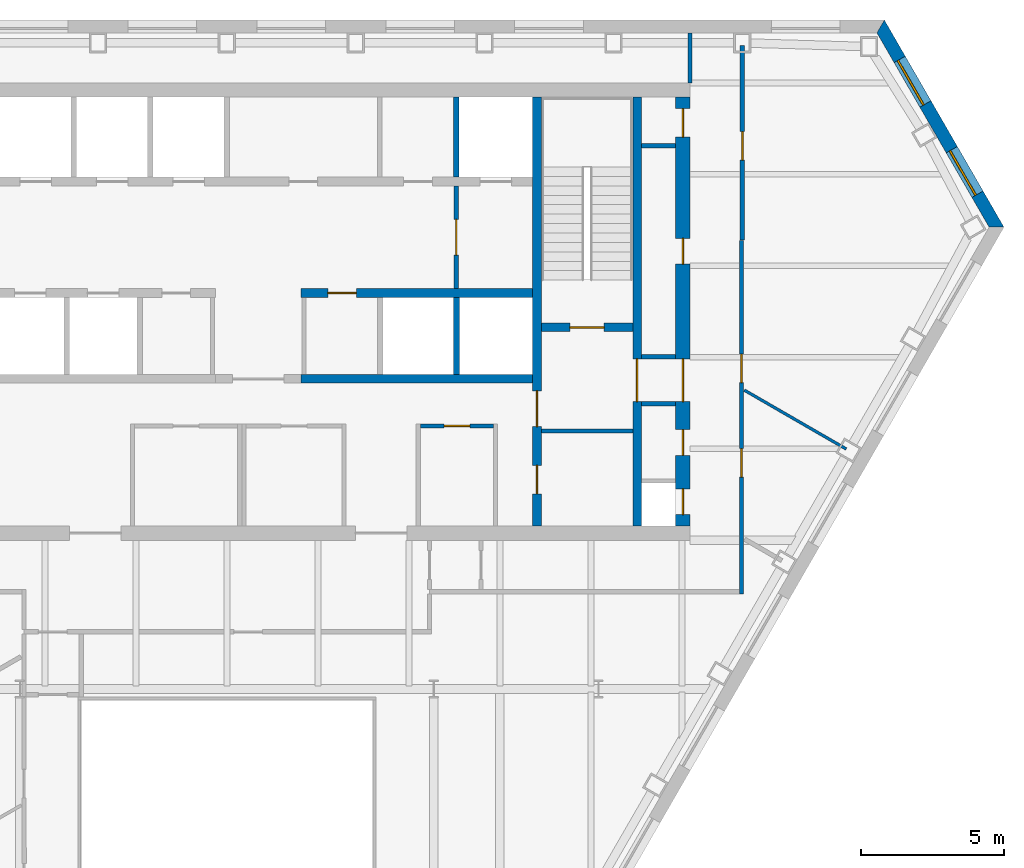
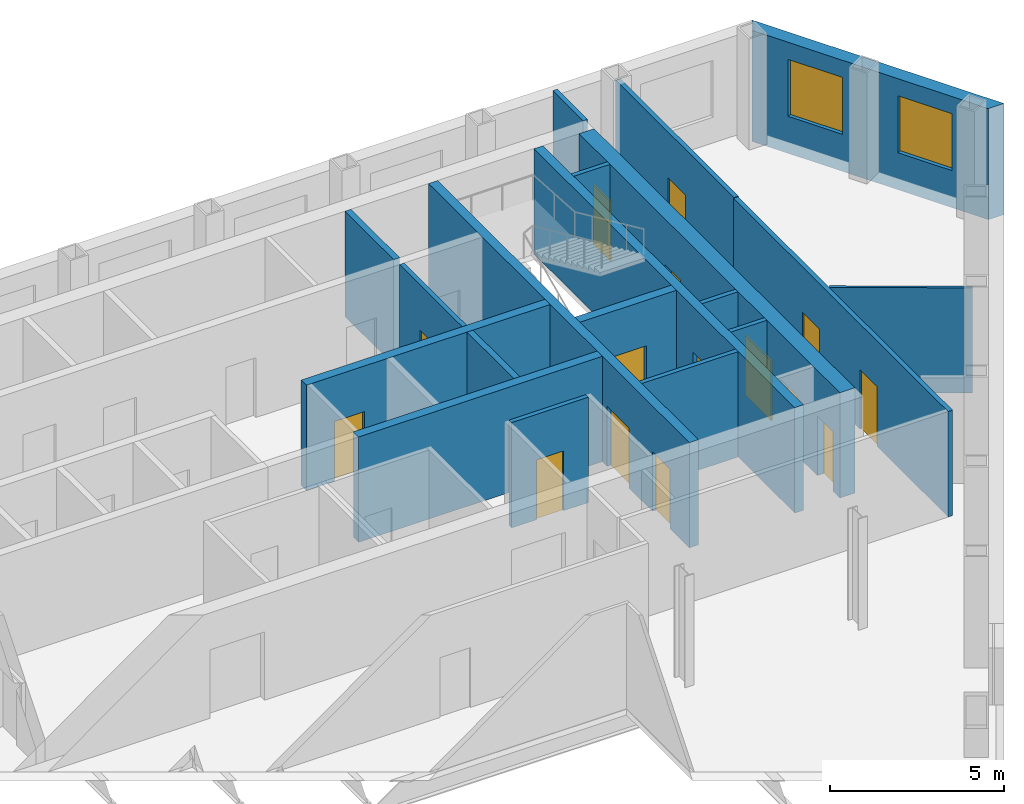
# One storey, part 7 of 10: 19 walls, 15 doors, 2 windows, 17 openings.
"""IFC4 building model written with IfcOpenShell, lengths in metres."""

from ifc_helpers import new_model, si_unit, direction, frame, frame_2d, origin, place, context, subcontext, project, spatial, polyline, rectangle, outline, extrude, material, layer, layer_set, type_object, element, fill, save


model = new_model("IFC4")

# Units and contexts
model_context = context("Model", 3, precision=1e-05, world=origin(), true_north=direction((0.0, 1.0)))
body_context = subcontext(model_context, "Body", "Model", "MODEL_VIEW")
ifc_project = project(units=[si_unit("LENGTHUNIT", "METRE"), si_unit("AREAUNIT", "SQUARE_METRE"), si_unit("VOLUMEUNIT", "CUBIC_METRE"), si_unit("PLANEANGLEUNIT", "RADIAN"), si_unit("MASSUNIT", "GRAM", prefix="KILO")], contexts=[model_context])

# Site, building, storey
site_placement = place(None, origin())
site = spatial("IfcSite", under=ifc_project, at=site_placement, CompositionType="ELEMENT")
building_placement = place(site_placement, origin())
building = spatial("IfcBuilding", under=site, at=building_placement, Name="Njiva Tower", CompositionType="ELEMENT")
storey_placement = place(building_placement, frame((0.0, 0.0, 167.1)))
storey = spatial("IfcBuildingStorey", under=building, at=storey_placement, Name="L36", CompositionType="ELEMENT", Elevation=167.1)

# Walls
ifc_material_1 = material(Name="Blockwork", Category="masonry")
ifc_layer_1 = layer(ifc_material_1, 0.15)
ifc_layer_set_1 = layer_set([ifc_layer_1], Name="Blockwork")
wall_type_1 = type_object("IfcWallType", Name="WT1 Compartment partition 150", PredefinedType="PARTITIONING", material=ifc_layer_set_1)
wall_1_placement = place(storey_placement, frame((11.0, 5.825, 0.0), z_axis=(0.0, 0.0, 1.0), x_axis=(1.0, 0.0, 0.0)))
element("IfcWall", 1, at=wall_1_placement, inside=storey, type_object=wall_type_1, Name="Room wall B", PredefinedType="PARTITIONING", context=body_context, shape_type="SweptSolid", body=[
    extrude(rectangle(XDim=3.2, YDim=0.15, at=frame_2d((1.6, 0.0))), origin(), (0.0, 0.0, 1.0), 3.7),
])
wall_2_placement = place(storey_placement, frame((14.5, 15.801, 0.0), z_axis=(0.0, 0.0, 1.0), x_axis=(1.0, 0.0, 0.0)))
element("IfcWall", 2, at=wall_2_placement, inside=storey, type_object=wall_type_1, Name="Partition strip E10", PredefinedType="PARTITIONING", context=body_context, shape_type="SweptSolid", body=[
    extrude(rectangle(XDim=1.2, YDim=0.15, at=frame_2d((0.6, 0.0))), origin(), (0.0, 0.0, 1.0), 3.7),
])

# Wall, opening, door
wall_3_placement = place(storey_placement, frame((6.775, 6.0, 0.0), z_axis=(0.0, 0.0, 1.0), x_axis=(1.0, 0.0, 0.0)))
wall_3 = element("IfcWall", 3, at=wall_3_placement, inside=storey, type_object=wall_type_1, Name="Security office wall north", PredefinedType="PARTITIONING", context=body_context, shape_type="SweptSolid", body=[
    extrude(rectangle(XDim=2.55, YDim=0.15, at=frame_2d((1.275, 0.0))), origin(), (0.0, 0.0, 1.0), 3.7),
])
opening_1_placement = place(wall_3_placement, frame((0.825, 0.0, 0.0)))
opening_1 = element("IfcOpeningElement", 4, at=opening_1_placement, cuts=wall_3, Name="Opening S12-D935", PredefinedType="OPENING", context=body_context, shape_type="SweptSolid", body=[
    extrude(rectangle(XDim=0.9, YDim=2.1, at=frame_2d((0.45, 1.05))), frame((0.0, 0.085, 0.0), z_axis=(0.0, -1.0, 0.0), x_axis=(1.0, 0.0, 0.0)), (0.0, 0.0, 1.0), 0.17),
])
ifc_material_2 = material(Name="Steel fire door, painted", Category="steel")
door_type_1 = type_object("IfcDoorType", Name="D6 Fire-rated door 900x2100", OperationType="SINGLE_SWING_LEFT", PredefinedType="DOOR", material=ifc_material_2)
door_1_placement = place(opening_1_placement, origin())
door_1 = element("IfcDoor", 5, at=door_1_placement, inside=storey, type_object=door_type_1, Name="Security office door", OperationType="SINGLE_SWING_RIGHT", OverallHeight=2.1, OverallWidth=0.9, PredefinedType="DOOR", context=body_context, shape_type="SweptSolid", body=[
    extrude(rectangle(XDim=0.9, YDim=2.1, at=frame_2d((0.45, 1.05))), frame((0.0, 0.025, 0.0), z_axis=(0.0, -1.0, 0.0), x_axis=(1.0, 0.0, 0.0)), (0.0, 0.0, 1.0), 0.05),
])
fill(opening_1, door_1)

# Wall, openings, doors
ifc_material_3 = material(Name="Concrete C40/50", Category="concrete")
ifc_layer_2 = layer(ifc_material_3, 0.3)
ifc_layer_set_2 = layer_set([ifc_layer_2], Name="Concrete C40/50")
wall_type_2 = type_object("IfcWallType", Name="WT10 Stair enclosure wall 300", PredefinedType="SHEAR", material=ifc_layer_set_2)
wall_4_placement = place(storey_placement, frame((10.85, 2.5, 0.0), z_axis=(0.0, 0.0, 1.0), x_axis=(0.0, 1.0, 0.0)))
wall_4 = element("IfcWall", 6, at=wall_4_placement, inside=storey, type_object=wall_type_2, Name="Stair wall east inner", PredefinedType="SHEAR", context=body_context, shape_type="SweptSolid", body=[
    extrude(rectangle(XDim=15.0, YDim=0.3, at=frame_2d((7.5, 0.0))), origin(), (0.0, 0.0, 1.0), 3.7),
])
opening_2_placement = place(wall_4_placement, frame((3.475, 0.0, 0.0)))
opening_2 = element("IfcOpeningElement", 7, at=opening_2_placement, cuts=wall_4, Name="Opening S12-D919", PredefinedType="OPENING", context=body_context, shape_type="SweptSolid", body=[
    extrude(rectangle(XDim=1.25, YDim=2.1, at=frame_2d((0.625, 1.05))), frame((0.0, 0.16, 0.0), z_axis=(0.0, -1.0, 0.0), x_axis=(1.0, 0.0, 0.0)), (0.0, 0.0, 1.0), 0.32),
])
opening_3_placement = place(wall_4_placement, frame((1.125, 0.0, 0.0)))
opening_3 = element("IfcOpeningElement", 8, at=opening_3_placement, cuts=wall_4, Name="Opening S12-D920", PredefinedType="OPENING", context=body_context, shape_type="SweptSolid", body=[
    extrude(rectangle(XDim=1.0, YDim=2.1, at=frame_2d((0.5, 1.05))), frame((0.0, 0.16, 0.0), z_axis=(0.0, -1.0, 0.0), x_axis=(1.0, 0.0, 0.0)), (0.0, 0.0, 1.0), 0.32),
])
ifc_material_4 = material(Name="Steel door, painted", Category="steel")
door_type_2 = type_object("IfcDoorType", Name="D5 Steel door 1000x2100", OperationType="SINGLE_SWING_LEFT", PredefinedType="DOOR", material=ifc_material_4)
door_2_placement = place(opening_3_placement, origin())
door_2 = element("IfcDoor", 9, at=door_2_placement, inside=storey, type_object=door_type_2, Name="Breakout room door", OperationType="SINGLE_SWING_LEFT", OverallHeight=2.1, OverallWidth=1.0, PredefinedType="DOOR", context=body_context, shape_type="SweptSolid", body=[
    extrude(rectangle(XDim=1.0, YDim=2.1, at=frame_2d((0.5, 1.05))), frame((0.0, 0.025, 0.0), z_axis=(0.0, -1.0, 0.0), x_axis=(1.0, 0.0, 0.0)), (0.0, 0.0, 1.0), 0.05),
])
fill(opening_3, door_2)
ifc_material_5 = material(Name="Glazed steel fire door", Category="steel")
door_type_3 = type_object("IfcDoorType", Name="D8 Vestibule corridor door 1250x2100 glazed", OperationType="SINGLE_SWING_LEFT", PredefinedType="DOOR", material=ifc_material_5)
door_3_placement = place(opening_2_placement, origin())
door_3 = element("IfcDoor", 10, at=door_3_placement, inside=storey, type_object=door_type_3, Name="Stair vestibule corridor door", OperationType="SINGLE_SWING_RIGHT", OverallHeight=2.1, OverallWidth=1.25, PredefinedType="DOOR", context=body_context, shape_type="SweptSolid", body=[
    extrude(rectangle(XDim=1.25, YDim=2.1, at=frame_2d((0.625, 1.05))), frame((0.0, 0.025, 0.0), z_axis=(0.0, -1.0, 0.0), x_axis=(1.0, 0.0, 0.0)), (0.0, 0.0, 1.0), 0.05),
])
fill(opening_2, door_3)

# Wall, opening, door
wall_5_placement = place(storey_placement, frame((14.35, 2.5, 0.0), z_axis=(0.0, 0.0, 1.0), x_axis=(0.0, 1.0, 0.0)))
wall_5 = element("IfcWall", 11, at=wall_5_placement, inside=storey, type_object=wall_type_2, Name="Stair wall east outer", PredefinedType="SHEAR", context=body_context, shape_type="SweptSolid", body=[
    extrude(rectangle(XDim=15.0, YDim=0.3, at=frame_2d((7.5, 0.0))), origin(), (0.0, 0.0, 1.0), 3.7),
])
opening_4_placement = place(wall_5_placement, frame((4.35, 0.0, 0.0)))
opening_4 = element("IfcOpeningElement", 12, at=opening_4_placement, cuts=wall_5, Name="Opening S12-D927", PredefinedType="OPENING", context=body_context, shape_type="SweptSolid", body=[
    extrude(rectangle(XDim=1.5, YDim=2.1, at=frame_2d((0.75, 1.05))), frame((0.0, 0.16, 0.0), z_axis=(0.0, -1.0, 0.0), x_axis=(1.0, 0.0, 0.0)), (0.0, 0.0, 1.0), 0.32),
])
door_type_4 = type_object("IfcDoorType", Name="D10 Exit door double 1500x2100 glazed", OperationType="DOUBLE_DOOR_SINGLE_SWING", PredefinedType="DOOR", material=ifc_material_5)
door_4_placement = place(opening_4_placement, origin())
door_4 = element("IfcDoor", 13, at=door_4_placement, inside=storey, type_object=door_type_4, Name="Stair B passage door", OperationType="DOUBLE_DOOR_SINGLE_SWING", OverallHeight=2.1, OverallWidth=1.5, PredefinedType="DOOR", context=body_context, shape_type="SweptSolid", body=[
    extrude(rectangle(XDim=1.5, YDim=2.1, at=frame_2d((0.75, 1.05))), frame((0.0, 0.025, 0.0), z_axis=(0.0, -1.0, 0.0), x_axis=(1.0, 0.0, 0.0)), (0.0, 0.0, 1.0), 0.05),
])
fill(opening_4, door_4)

wall_6_placement = place(storey_placement, frame((11.0, 9.45, 0.0), z_axis=(0.0, 0.0, 1.0), x_axis=(1.0, 0.0, 0.0)))
wall_6 = element("IfcWall", 14, at=wall_6_placement, inside=storey, type_object=wall_type_2, Name="Stair B south wall", PredefinedType="SHEAR", context=body_context, shape_type="SweptSolid", body=[
    extrude(rectangle(XDim=3.2, YDim=0.3, at=frame_2d((1.6, 0.0))), origin(), (0.0, 0.0, 1.0), 3.7),
])
opening_5_placement = place(wall_6_placement, frame((1.0, 0.0, 0.0)))
opening_5 = element("IfcOpeningElement", 15, at=opening_5_placement, cuts=wall_6, Name="Opening S12-D918", PredefinedType="OPENING", context=body_context, shape_type="SweptSolid", body=[
    extrude(rectangle(XDim=1.2, YDim=2.1, at=frame_2d((0.6, 1.05))), frame((0.0, 0.16, 0.0), z_axis=(0.0, -1.0, 0.0), x_axis=(1.0, 0.0, 0.0)), (0.0, 0.0, 1.0), 0.32),
])
door_type_5 = type_object("IfcDoorType", Name="D7 Stair vestibule door 1200x2100 glazed", OperationType="SINGLE_SWING_LEFT", PredefinedType="DOOR", material=ifc_material_5)
door_5_placement = place(opening_5_placement, origin())
door_5 = element("IfcDoor", 16, at=door_5_placement, inside=storey, type_object=door_type_5, Name="Stair B door", OperationType="SINGLE_SWING_LEFT", OverallHeight=2.1, OverallWidth=1.2, PredefinedType="DOOR", context=body_context, shape_type="SweptSolid", body=[
    extrude(rectangle(XDim=1.2, YDim=2.1, at=frame_2d((0.6, 1.05))), frame((0.0, 0.025, 0.0), z_axis=(0.0, -1.0, 0.0), x_axis=(1.0, 0.0, 0.0)), (0.0, 0.0, 1.0), 0.05),
])
fill(opening_5, door_5)

# Wall, openings, doors
ifc_material_6 = material(Name="Concrete C60/75", Category="concrete")
ifc_layer_3 = layer(ifc_material_6, 0.5)
ifc_layer_set_3 = layer_set([ifc_layer_3], Name="Concrete C60/75")
wall_type_3 = type_object("IfcWallType", Name="WT13 Core wall 500", PredefinedType="SHEAR", material=ifc_layer_set_3)
wall_7_placement = place(storey_placement, frame((15.95, 2.5, 0.0), z_axis=(0.0, 0.0, 1.0), x_axis=(0.0, 1.0, 0.0)))
wall_7 = element("IfcWall", 17, at=wall_7_placement, inside=storey, type_object=wall_type_3, Name="Core wall east", PredefinedType="SHEAR", context=body_context, shape_type="SweptSolid", body=[
    extrude(rectangle(XDim=15.0, YDim=0.5, at=frame_2d((7.5, 0.0))), origin(), (0.0, 0.0, 1.0), 3.7),
])
opening_6_placement = place(wall_7_placement, frame((4.35, 0.0, 0.0)))
opening_6 = element("IfcOpeningElement", 18, at=opening_6_placement, cuts=wall_7, Name="Opening S12-D928", PredefinedType="OPENING", context=body_context, shape_type="SweptSolid", body=[
    extrude(rectangle(XDim=1.5, YDim=2.1, at=frame_2d((0.75, 1.05))), frame((0.0, 0.26, 0.0), z_axis=(0.0, -1.0, 0.0), x_axis=(1.0, 0.0, 0.0)), (0.0, 0.0, 1.0), 0.52),
])
opening_7_placement = place(wall_7_placement, frame((0.4, 0.0, 0.0)))
opening_7 = element("IfcOpeningElement", 19, at=opening_7_placement, cuts=wall_7, Name="Opening S12-D929", PredefinedType="OPENING", context=body_context, shape_type="SweptSolid", body=[
    extrude(rectangle(XDim=0.9, YDim=2.1, at=frame_2d((0.45, 1.05))), frame((0.0, 0.26, 0.0), z_axis=(0.0, -1.0, 0.0), x_axis=(1.0, 0.0, 0.0)), (0.0, 0.0, 1.0), 0.52),
])
opening_8_placement = place(wall_7_placement, frame((2.475, 0.0, 0.0)))
opening_8 = element("IfcOpeningElement", 20, at=opening_8_placement, cuts=wall_7, Name="Opening S12-D930", PredefinedType="OPENING", context=body_context, shape_type="SweptSolid", body=[
    extrude(rectangle(XDim=0.9, YDim=2.1, at=frame_2d((0.45, 1.05))), frame((0.0, 0.26, 0.0), z_axis=(0.0, -1.0, 0.0), x_axis=(1.0, 0.0, 0.0)), (0.0, 0.0, 1.0), 0.52),
])
opening_9_placement = place(wall_7_placement, frame((9.163, 0.0, 0.0)))
opening_9 = element("IfcOpeningElement", 21, at=opening_9_placement, cuts=wall_7, Name="Opening S12-D931", PredefinedType="OPENING", context=body_context, shape_type="SweptSolid", body=[
    extrude(rectangle(XDim=0.9, YDim=2.1, at=frame_2d((0.45, 1.05))), frame((0.0, 0.26, 0.0), z_axis=(0.0, -1.0, 0.0), x_axis=(1.0, 0.0, 0.0)), (0.0, 0.0, 1.0), 0.52),
])
opening_10_placement = place(wall_7_placement, frame((13.6, 0.0, 0.0)))
opening_10 = element("IfcOpeningElement", 22, at=opening_10_placement, cuts=wall_7, Name="Opening S12-D932", PredefinedType="OPENING", context=body_context, shape_type="SweptSolid", body=[
    extrude(rectangle(XDim=1.0, YDim=2.1, at=frame_2d((0.5, 1.05))), frame((0.0, 0.26, 0.0), z_axis=(0.0, -1.0, 0.0), x_axis=(1.0, 0.0, 0.0)), (0.0, 0.0, 1.0), 0.52),
])
door_6_placement = place(opening_6_placement, origin())
door_6 = element("IfcDoor", 23, at=door_6_placement, inside=storey, type_object=door_type_4, Name="Stair B corridor door", OperationType="DOUBLE_DOOR_SINGLE_SWING", OverallHeight=2.1, OverallWidth=1.5, PredefinedType="DOOR", context=body_context, shape_type="SweptSolid", body=[
    extrude(rectangle(XDim=1.5, YDim=2.1, at=frame_2d((0.75, 1.05))), frame((0.0, 0.025, 0.0), z_axis=(0.0, -1.0, 0.0), x_axis=(1.0, 0.0, 0.0)), (0.0, 0.0, 1.0), 0.05),
])
fill(opening_6, door_6)
door_type_6 = type_object("IfcDoorType", Name="D4 Riser door 900x2100", OperationType="SINGLE_SWING_LEFT", PredefinedType="DOOR", material=ifc_material_4)
door_7_placement = place(opening_7_placement, origin())
door_7 = element("IfcDoor", 24, at=door_7_placement, inside=storey, type_object=door_type_6, Name="Cable riser door", OperationType="SINGLE_SWING_LEFT", OverallHeight=2.1, OverallWidth=0.9, PredefinedType="DOOR", context=body_context, shape_type="SweptSolid", body=[
    extrude(rectangle(XDim=0.9, YDim=2.1, at=frame_2d((0.45, 1.05))), frame((0.0, 0.025, 0.0), z_axis=(0.0, -1.0, 0.0), x_axis=(1.0, 0.0, 0.0)), (0.0, 0.0, 1.0), 0.05),
])
fill(opening_7, door_7)
door_8_placement = place(opening_10_placement, origin())
door_8 = element("IfcDoor", 25, at=door_8_placement, inside=storey, type_object=door_type_2, Name="Telecoms room door", OperationType="SINGLE_SWING_RIGHT", OverallHeight=2.1, OverallWidth=1.0, PredefinedType="DOOR", context=body_context, shape_type="SweptSolid", body=[
    extrude(rectangle(XDim=1.0, YDim=2.1, at=frame_2d((0.5, 1.05))), frame((0.0, 0.025, 0.0), z_axis=(0.0, -1.0, 0.0), x_axis=(1.0, 0.0, 0.0)), (0.0, 0.0, 1.0), 0.05),
])
fill(opening_10, door_8)
door_9_placement = place(opening_8_placement, origin())
door_9 = element("IfcDoor", 26, at=door_9_placement, inside=storey, type_object=door_type_1, Name="Cable store door", OperationType="SINGLE_SWING_LEFT", OverallHeight=2.1, OverallWidth=0.9, PredefinedType="DOOR", context=body_context, shape_type="SweptSolid", body=[
    extrude(rectangle(XDim=0.9, YDim=2.1, at=frame_2d((0.45, 1.05))), frame((0.0, 0.025, 0.0), z_axis=(0.0, -1.0, 0.0), x_axis=(1.0, 0.0, 0.0)), (0.0, 0.0, 1.0), 0.05),
])
fill(opening_8, door_9)
door_10_placement = place(opening_9_placement, origin())
door_10 = element("IfcDoor", 27, at=door_10_placement, inside=storey, type_object=door_type_1, Name="Cable store door", OperationType="SINGLE_SWING_RIGHT", OverallHeight=2.1, OverallWidth=0.9, PredefinedType="DOOR", context=body_context, shape_type="SweptSolid", body=[
    extrude(rectangle(XDim=0.9, YDim=2.1, at=frame_2d((0.45, 1.05))), frame((0.0, 0.025, 0.0), z_axis=(0.0, -1.0, 0.0), x_axis=(1.0, 0.0, 0.0)), (0.0, 0.0, 1.0), 0.05),
])
fill(opening_9, door_10)

# Wall, opening, door
ifc_layer_4 = layer(ifc_material_1, 0.15)
ifc_layer_set_4 = layer_set([ifc_layer_4], Name="Blockwork")
wall_type_4 = type_object("IfcWallType", Name="WT2 Lobby partition 150", PredefinedType="PARTITIONING", material=ifc_layer_set_4)
wall_8_placement = place(storey_placement, frame((8.025, 10.8, 0.0), z_axis=(0.0, 0.0, 1.0), x_axis=(0.0, 1.0, 0.0)))
wall_8 = element("IfcWall", 28, at=wall_8_placement, inside=storey, type_object=wall_type_4, Name="Firefighting lobby wall B", PredefinedType="PARTITIONING", context=body_context, shape_type="SweptSolid", body=[
    extrude(rectangle(XDim=3.6, YDim=0.15, at=frame_2d((1.8, 0.0))), origin(), (0.0, 0.0, 1.0), 3.7),
])
opening_11_placement = place(wall_8_placement, frame((1.175, 0.0, 0.0)))
opening_11 = element("IfcOpeningElement", 29, at=opening_11_placement, cuts=wall_8, Name="Opening S12-D917", PredefinedType="OPENING", context=body_context, shape_type="SweptSolid", body=[
    extrude(rectangle(XDim=1.25, YDim=2.1, at=frame_2d((0.625, 1.05))), frame((0.0, 0.085, 0.0), z_axis=(0.0, -1.0, 0.0), x_axis=(1.0, 0.0, 0.0)), (0.0, 0.0, 1.0), 0.17),
])
door_11_placement = place(opening_11_placement, origin())
door_11 = element("IfcDoor", 30, at=door_11_placement, inside=storey, type_object=door_type_3, Name="Stair vestibule corridor door", OperationType="SINGLE_SWING_LEFT", OverallHeight=2.1, OverallWidth=1.25, PredefinedType="DOOR", context=body_context, shape_type="SweptSolid", body=[
    extrude(rectangle(XDim=1.25, YDim=2.1, at=frame_2d((0.625, 1.05))), frame((0.0, 0.025, 0.0), z_axis=(0.0, -1.0, 0.0), x_axis=(1.0, 0.0, 0.0)), (0.0, 0.0, 1.0), 0.05),
])
fill(opening_11, door_11)

# Walls
ifc_material_7 = material(Name="Gypsum board on steel studs", Category="gypsum")
ifc_layer_5 = layer(ifc_material_7, 0.1)
ifc_layer_set_5 = layer_set([ifc_layer_5], Name="Gypsum board on steel studs")
wall_type_5 = type_object("IfcWallType", Name="WT20 Gypsum partition 100", PredefinedType="PARTITIONING", material=ifc_layer_set_5)
wall_9_placement = place(storey_placement, frame((18.1, 7.254, 0.0), z_axis=(0.0, 0.0, 1.0), x_axis=(0.865963207503, -0.50010771165, 0.0)))
element("IfcWall", 31, at=wall_9_placement, inside=storey, type_object=wall_type_5, Name="Partition S12-P030", PredefinedType="PARTITIONING", context=body_context, shape_type="SweptSolid", body=[
    extrude(rectangle(XDim=4.1191, YDim=0.1, at=frame_2d((2.0596, 0.0))), origin(), (0.0, 0.0, 1.0), 3.7),
])
ifc_layer_6 = layer(ifc_material_7, 0.15)
ifc_layer_set_6 = layer_set([ifc_layer_6], Name="Gypsum board on steel studs")
wall_type_6 = type_object("IfcWallType", Name="WT21 Compartment wall 150", PredefinedType="PARTITIONING", material=ifc_layer_set_6)
wall_10_placement = place(storey_placement, frame((16.2, 18.0, 0.0), z_axis=(0.0, 0.0, 1.0), x_axis=(0.0, 1.0, 0.0)))
element("IfcWall", 32, at=wall_10_placement, inside=storey, type_object=wall_type_6, Name="Partition S12-P027", PredefinedType="PARTITIONING", context=body_context, shape_type="SweptSolid", body=[
    extrude(rectangle(XDim=1.75, YDim=0.15, at=frame_2d((0.875, 0.0))), origin(), (0.0, 0.0, 1.0), 3.7),
])

# Wall, openings, doors
wall_11_placement = place(storey_placement, frame((18.0, 0.125, 0.0), z_axis=(0.0, 0.0, 1.0), x_axis=(0.0, 1.0, 0.0)))
wall_11 = element("IfcWall", 33, at=wall_11_placement, inside=storey, type_object=wall_type_6, Name="Partition S12-P028", PredefinedType="PARTITIONING", context=body_context, shape_type="SweptSolid", body=[
    extrude(rectangle(XDim=12.354, YDim=0.15, at=frame_2d((6.177, 0.0))), origin(), (0.0, 0.0, 1.0), 3.7),
])
opening_12_placement = place(wall_11_placement, frame((4.083, 0.0, 0.0)))
opening_12 = element("IfcOpeningElement", 34, at=opening_12_placement, cuts=wall_11, Name="Opening S12-D014", PredefinedType="OPENING", context=body_context, shape_type="SweptSolid", body=[
    extrude(rectangle(XDim=1.0, YDim=2.1, at=frame_2d((0.5, 1.05))), frame((0.0, 0.085, 0.0), z_axis=(0.0, -1.0, 0.0), x_axis=(1.0, 0.0, 0.0)), (0.0, 0.0, 1.0), 0.17),
])
opening_13_placement = place(wall_11_placement, frame((7.387, 0.0, 0.0)))
opening_13 = element("IfcOpeningElement", 35, at=opening_13_placement, cuts=wall_11, Name="Opening S12-D015", PredefinedType="OPENING", context=body_context, shape_type="SweptSolid", body=[
    extrude(rectangle(XDim=1.0, YDim=2.1, at=frame_2d((0.5, 1.05))), frame((0.0, 0.085, 0.0), z_axis=(0.0, -1.0, 0.0), x_axis=(1.0, 0.0, 0.0)), (0.0, 0.0, 1.0), 0.17),
])
ifc_material_8 = material(Name="Steel fire door set", Category="steel")
door_type_7 = type_object("IfcDoorType", Name="D37 Fire door 1000x2100", OperationType="SINGLE_SWING_LEFT", PredefinedType="DOOR", material=ifc_material_8)
door_12_placement = place(opening_12_placement, origin())
door_12 = element("IfcDoor", 36, at=door_12_placement, inside=storey, type_object=door_type_7, Name="Door S12-D014", OperationType="SINGLE_SWING_LEFT", OverallHeight=2.1, OverallWidth=1.0, PredefinedType="DOOR", context=body_context, shape_type="SweptSolid", body=[
    extrude(rectangle(XDim=1.0, YDim=2.1, at=frame_2d((0.5, 1.05))), frame((0.0, 0.025, 0.0), z_axis=(0.0, -1.0, 0.0), x_axis=(1.0, 0.0, 0.0)), (0.0, 0.0, 1.0), 0.05),
])
fill(opening_12, door_12)
door_13_placement = place(opening_13_placement, origin())
door_13 = element("IfcDoor", 37, at=door_13_placement, inside=storey, type_object=door_type_7, Name="Door S12-D015", OperationType="SINGLE_SWING_RIGHT", OverallHeight=2.1, OverallWidth=1.0, PredefinedType="DOOR", context=body_context, shape_type="SweptSolid", body=[
    extrude(rectangle(XDim=1.0, YDim=2.1, at=frame_2d((0.5, 1.05))), frame((0.0, 0.025, 0.0), z_axis=(0.0, -1.0, 0.0), x_axis=(1.0, 0.0, 0.0)), (0.0, 0.0, 1.0), 0.05),
])
fill(opening_13, door_13)

# Wall, opening, door
wall_12_placement = place(storey_placement, frame((18.031, 12.498, 0.0), z_axis=(0.0, 0.0, 1.0), x_axis=(0.0, 1.0, 0.0)))
wall_12 = element("IfcWall", 38, at=wall_12_placement, inside=storey, type_object=wall_type_6, Name="Partition S12-P029", PredefinedType="PARTITIONING", context=body_context, shape_type="SweptSolid", body=[
    extrude(rectangle(XDim=6.802, YDim=0.15, at=frame_2d((3.401, 0.0))), origin(), (0.0, 0.0, 1.0), 3.7),
])
opening_14_placement = place(wall_12_placement, frame((2.801, 0.0, 0.0)))
opening_14 = element("IfcOpeningElement", 39, at=opening_14_placement, cuts=wall_12, Name="Opening S12-D016", PredefinedType="OPENING", context=body_context, shape_type="SweptSolid", body=[
    extrude(rectangle(XDim=1.0, YDim=2.1, at=frame_2d((0.5, 1.05))), frame((0.0, 0.085, 0.0), z_axis=(0.0, -1.0, 0.0), x_axis=(1.0, 0.0, 0.0)), (0.0, 0.0, 1.0), 0.17),
])
door_14_placement = place(opening_14_placement, origin())
door_14 = element("IfcDoor", 40, at=door_14_placement, inside=storey, type_object=door_type_7, Name="Door S12-D016", OperationType="SINGLE_SWING_LEFT", OverallHeight=2.1, OverallWidth=1.0, PredefinedType="DOOR", context=body_context, shape_type="SweptSolid", body=[
    extrude(rectangle(XDim=1.0, YDim=2.1, at=frame_2d((0.5, 1.05))), frame((0.0, 0.025, 0.0), z_axis=(0.0, -1.0, 0.0), x_axis=(1.0, 0.0, 0.0)), (0.0, 0.0, 1.0), 0.05),
])
fill(opening_14, door_14)

# Walls
ifc_layer_7 = layer(ifc_material_1, 0.15)
ifc_layer_set_7 = layer_set([ifc_layer_7], Name="Blockwork")
wall_type_7 = type_object("IfcWallType", Name="WT4 Stair partition 150", PredefinedType="PARTITIONING", material=ifc_layer_set_7)
for number, where, z_axis, x_axis, name in (
    (41, (14.5, 6.775, 0.0), (0.0, 0.0, 1.0), (1.0, 0.0, 0.0), "Stair B exit passage wall south"),
    (42, (14.5, 8.425, 0.0), (0.0, 0.0, 1.0), (1.0, 0.0, 0.0), "Stair B exit passage wall north"),
):
    element("IfcWall", number, at=place(storey_placement, frame(where, z_axis=z_axis, x_axis=x_axis)), inside=storey, type_object=wall_type_7, Name=name, PredefinedType="PARTITIONING", context=body_context, shape_type="SweptSolid", body=[
        extrude(rectangle(XDim=1.2, YDim=0.15, at=frame_2d((0.6, 0.0))), origin(), (0.0, 0.0, 1.0), 3.7),
    ])
ifc_layer_8 = layer(ifc_material_3, 0.2)
ifc_layer_set_8 = layer_set([ifc_layer_8], Name="Concrete C40/50")
wall_type_8 = type_object("IfcWallType", Name="WT6 Lift shaft wall 200", PredefinedType="SHEAR", material=ifc_layer_set_8)
wall_13_placement = place(storey_placement, frame((8.025, 14.7, 0.0), z_axis=(0.0, 0.0, 1.0), x_axis=(0.0, 1.0, 0.0)))
element("IfcWall", 43, at=wall_13_placement, inside=storey, type_object=wall_type_8, Name="Shaft wall CN7", PredefinedType="SHEAR", context=body_context, shape_type="SweptSolid", body=[
    extrude(rectangle(XDim=2.8, YDim=0.2, at=frame_2d((1.4, 0.0))), origin(), (0.0, 0.0, 1.0), 3.7),
])
wall_14_placement = place(storey_placement, frame((8.0333, 7.8, 0.0), z_axis=(0.0, 0.0, 1.0), x_axis=(0.0, 1.0, 0.0)))
element("IfcWall", 44, at=wall_14_placement, inside=storey, type_object=wall_type_8, Name="Shaft wall CS7", PredefinedType="SHEAR", context=body_context, shape_type="SweptSolid", body=[
    extrude(rectangle(XDim=2.7, YDim=0.2, at=frame_2d((1.35, 0.0))), origin(), (0.0, 0.0, 1.0), 3.7),
])

# Wall, opening, door
ifc_layer_9 = layer(ifc_material_3, 0.3)
ifc_layer_set_9 = layer_set([ifc_layer_9], Name="Concrete C40/50")
wall_type_9 = type_object("IfcWallType", Name="WT7 Lift shaft wall 300", PredefinedType="SHEAR", material=ifc_layer_set_9)
wall_15_placement = place(storey_placement, frame((2.6, 10.65, 0.0), z_axis=(0.0, 0.0, 1.0), x_axis=(1.0, 0.0, 0.0)))
wall_15 = element("IfcWall", 45, at=wall_15_placement, inside=storey, type_object=wall_type_9, Name="Shaft wall south row lobby side E", PredefinedType="SHEAR", context=body_context, shape_type="SweptSolid", body=[
    extrude(rectangle(XDim=8.1, YDim=0.3, at=frame_2d((4.05, 0.0))), origin(), (0.0, 0.0, 1.0), 3.7),
])
opening_15_placement = place(wall_15_placement, frame((0.9334, 0.0, 0.0)))
opening_15 = element("IfcOpeningElement", 46, at=opening_15_placement, cuts=wall_15, Name="Opening S12-D912", PredefinedType="OPENING", context=body_context, shape_type="SweptSolid", body=[
    extrude(rectangle(XDim=1.0, YDim=2.1, at=frame_2d((0.5, 1.05))), frame((0.0, 0.16, 0.0), z_axis=(0.0, -1.0, 0.0), x_axis=(1.0, 0.0, 0.0)), (0.0, 0.0, 1.0), 0.32),
])
door_15_placement = place(opening_15_placement, origin())
door_15 = element("IfcDoor", 47, at=door_15_placement, inside=storey, type_object=door_type_2, Name="Business centre door", OperationType="SINGLE_SWING_LEFT", OverallHeight=2.1, OverallWidth=1.0, PredefinedType="DOOR", context=body_context, shape_type="SweptSolid", body=[
    extrude(rectangle(XDim=1.0, YDim=2.1, at=frame_2d((0.5, 1.05))), frame((0.0, 0.025, 0.0), z_axis=(0.0, -1.0, 0.0), x_axis=(1.0, 0.0, 0.0)), (0.0, 0.0, 1.0), 0.05),
])
fill(opening_15, door_15)

# Wall
wall_16_placement = place(storey_placement, frame((2.6, 7.65, 0.0), z_axis=(0.0, 0.0, 1.0), x_axis=(1.0, 0.0, 0.0)))
element("IfcWall", 48, at=wall_16_placement, inside=storey, type_object=wall_type_9, Name="Shaft wall south row back E", PredefinedType="SHEAR", context=body_context, shape_type="SweptSolid", body=[
    extrude(rectangle(XDim=8.1, YDim=0.3, at=frame_2d((4.05, 0.0))), origin(), (0.0, 0.0, 1.0), 3.7),
])

# Wall, openings, windows
ifc_material_9 = material(Name="Brick masonry, buff", Category="masonry")
ifc_layer_10 = layer(ifc_material_9, 0.45)
ifc_layer_set_10 = layer_set([ifc_layer_10], Name="Brick masonry, buff")
wall_type_10 = type_object("IfcWallType", Name="WT94 Brick pier and spandrel wall 450, buff", PredefinedType="SOLIDWALL", material=ifc_layer_set_10)
wall_17_placement = place(storey_placement, frame((26.9252, 12.9514, -0.4), z_axis=(0.0, 0.0, 1.0), x_axis=(-0.500002094529, 0.866024194504, 0.0)))
wall_17 = element("IfcWall", 49, at=wall_17_placement, inside=storey, type_object=wall_type_10, Name="Facade wall NE", PredefinedType="SOLIDWALL", context=body_context, shape_type="SweptSolid", body=[
    extrude(outline(polyline([(-0.1299, -0.225), (8.2401, -0.225), (7.9803, 0.225), (0.1299, 0.225), (-0.1299, -0.225)])), origin(), (0.0, 0.0, 1.0), 3.9),
])
opening_16_placement = place(wall_17_placement, frame((1.3319, 0.0, 1.3)))
opening_16 = element("IfcOpeningElement", 50, at=opening_16_placement, cuts=wall_17, Name="Opening S12-W34", PredefinedType="OPENING", context=body_context, shape_type="SweptSolid", body=[
    extrude(rectangle(XDim=1.8, YDim=2.0, at=frame_2d((0.9, 1.0))), frame((0.0, 0.235, 0.0), z_axis=(0.0, -1.0, 0.0), x_axis=(1.0, 0.0, 0.0)), (0.0, 0.0, 1.0), 0.47),
])
opening_17_placement = place(wall_17_placement, frame((4.9782, 0.0, 1.3)))
opening_17 = element("IfcOpeningElement", 51, at=opening_17_placement, cuts=wall_17, Name="Opening S12-W35", PredefinedType="OPENING", context=body_context, shape_type="SweptSolid", body=[
    extrude(rectangle(XDim=1.8, YDim=2.0, at=frame_2d((0.9, 1.0))), frame((0.0, 0.235, 0.0), z_axis=(0.0, -1.0, 0.0), x_axis=(1.0, 0.0, 0.0)), (0.0, 0.0, 1.0), 0.47),
])
ifc_material_10 = material(Name="Clear glazing in aluminium frame", Category="aluminium")
window_type = type_object("IfcWindowType", Name="W94 Deep-set window 1800x2000", PartitioningType="SINGLE_PANEL", PredefinedType="WINDOW", material=ifc_material_10)
window_1_placement = place(opening_16_placement, origin())
window_1 = element("IfcWindow", 52, at=window_1_placement, inside=storey, type_object=window_type, Name="Window", OverallHeight=2.0, OverallWidth=1.8, PartitioningType="SINGLE_PANEL", PredefinedType="WINDOW", context=body_context, shape_type="SweptSolid", body=[
    extrude(rectangle(XDim=1.8, YDim=2.0, at=frame_2d((0.9, 1.0))), frame((0.0, 0.105, 0.0), z_axis=(0.0, -1.0, 0.0), x_axis=(1.0, 0.0, 0.0)), (0.0, 0.0, 1.0), 0.06),
])
fill(opening_16, window_1)
window_2_placement = place(opening_17_placement, origin())
window_2 = element("IfcWindow", 53, at=window_2_placement, inside=storey, type_object=window_type, Name="Window", OverallHeight=2.0, OverallWidth=1.8, PartitioningType="SINGLE_PANEL", PredefinedType="WINDOW", context=body_context, shape_type="SweptSolid", body=[
    extrude(rectangle(XDim=1.8, YDim=2.0, at=frame_2d((0.9, 1.0))), frame((0.0, 0.105, 0.0), z_axis=(0.0, -1.0, 0.0), x_axis=(1.0, 0.0, 0.0)), (0.0, 0.0, 1.0), 0.06),
])
fill(opening_17, window_2)

save(model, "model.ifc")
